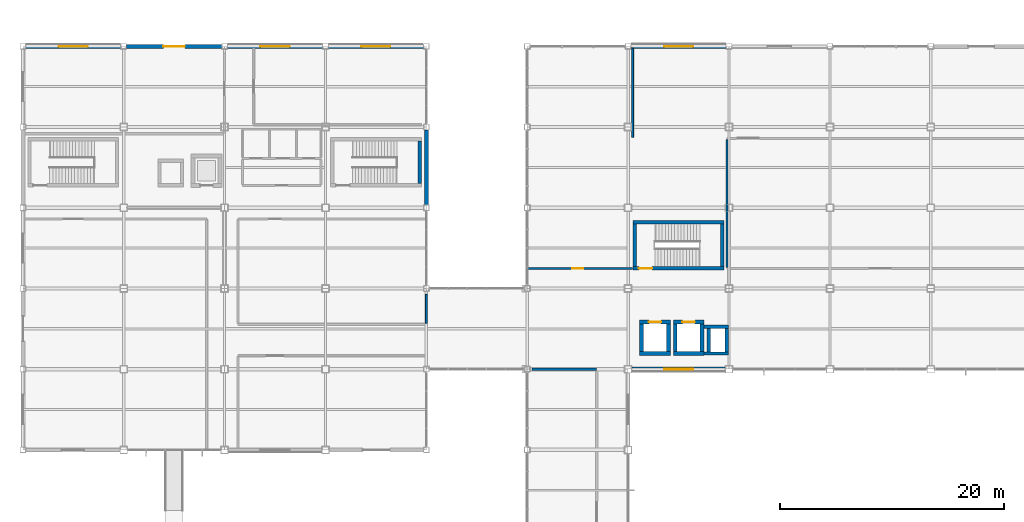
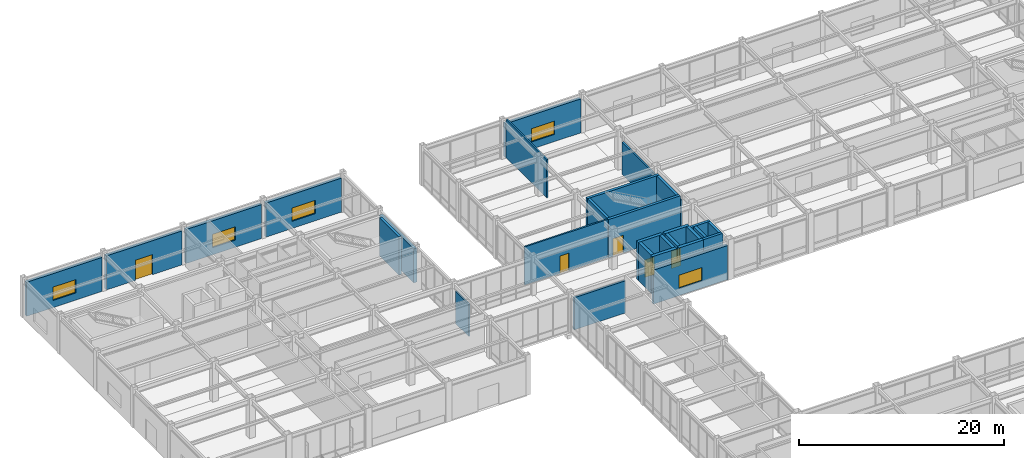
# One storey, part 91 of 112: 29 walls, 5 doors, 5 windows, 10 openings.
"""IFC4 building model written with IfcOpenShell, lengths in metres."""

from ifc_helpers import new_model, si_unit, direction, frame, frame_2d, origin, place, context, subcontext, project, spatial, rectangle, extrude, material, layer, layer_set, type_object, element, fill, save


model = new_model("IFC4")

# Units and contexts
model_context = context("Model", 3, precision=1e-05, world=origin(), true_north=direction((0.0, 1.0)))
body_context = subcontext(model_context, "Body", "Model", "MODEL_VIEW")
ifc_project = project(units=[si_unit("LENGTHUNIT", "METRE"), si_unit("AREAUNIT", "SQUARE_METRE"), si_unit("VOLUMEUNIT", "CUBIC_METRE"), si_unit("PLANEANGLEUNIT", "RADIAN"), si_unit("MASSUNIT", "GRAM", prefix="KILO")], contexts=[model_context])

# Site, building, storey
site_placement = place(None, origin())
site = spatial("IfcSite", under=ifc_project, at=site_placement, CompositionType="ELEMENT")
building_placement = place(site_placement, origin())
building = spatial("IfcBuilding", under=site, at=building_placement, Name="Kazanami Central Library", CompositionType="ELEMENT")
storey_placement = place(building_placement, origin())
storey = spatial("IfcBuildingStorey", under=building, at=storey_placement, Name="L01", CompositionType="ELEMENT", Elevation=0.0)

# Wall, opening, window
ifc_material_1 = material(Name="Concrete Fc36 (36 MPa)", Category="concrete")
ifc_layer_1 = layer(ifc_material_1, 0.27001953125, Name="Concrete Fc36 (36 MPa)")
ifc_material_2 = material(Name="Extruded Polystyrene XPS", Category="earth")
ifc_layer_2 = layer(ifc_material_2, 0.050048828125, Name="Extruded Polystyrene XPS")
ifc_material_3 = material(Name="Honed Inada Granite", Category="masonry")
ifc_layer_3 = layer(ifc_material_3, 0.030029296875, Name="Honed Inada Granite")
ifc_layer_set_1 = layer_set([ifc_layer_1, ifc_layer_2, ifc_layer_3], Name="Concrete Fc36 (36 MPa)")
wall_type_1 = type_object("IfcWallType", Name="WAL-EW-350", PredefinedType="STANDARD", material=ifc_layer_set_1)
wall_1_placement = place(storey_placement, frame((54.324951171875, 64.800048828125, 0.0), z_axis=(0.0, 0.0, 1.0), x_axis=(1.0, 0.0, 0.0)))
wall_1 = element("IfcWall", 1, at=wall_1_placement, inside=storey, type_object=wall_type_1, Name="Exterior Facade Wall EW-350 L01 S-K-06", PredefinedType="STANDARD", context=body_context, shape_type="SweptSolid", body=[
    extrude(rectangle(XDim=8.35009765625, YDim=0.35009765625, at=frame_2d((4.175048828125, 0.0))), origin(), (0.0, 0.0, 1.0), 4.054931640625),
])
opening_1_placement = place(wall_1_placement, frame((2.875, 0.0, 0.85009765625)))
opening_1 = element("IfcOpeningElement", 2, at=opening_1_placement, cuts=wall_1, Name="Opening WN-13", PredefinedType="OPENING", context=body_context, shape_type="SweptSolid", body=[
    extrude(rectangle(XDim=2.60009765625, YDim=1.60009765625, at=frame_2d((1.300048828125, 0.800048828125))), frame((0.0, 0.18701171875, 0.0), z_axis=(0.0, -1.0, 0.0), x_axis=(1.0, 0.0, 0.0)), (0.0, 0.0, 1.0), 0.3740234375),
])
ifc_material_4 = material(Name="Low-E Insulated Triple Glass", Category="glass")
window_type = type_object("IfcWindowType", Name="WIN-WN-13", PartitioningType="DOUBLE_PANEL_VERTICAL", PredefinedType="WINDOW", material=ifc_material_4)
window_1_placement = place(opening_1_placement, origin())
window_1 = element("IfcWindow", 3, at=window_1_placement, inside=storey, type_object=window_type, Name="Facade Window WN-13 L01 S-K-06", OverallHeight=1.60009765625, OverallWidth=2.60009765625, PartitioningType="DOUBLE_PANEL_VERTICAL", PredefinedType="WINDOW", context=body_context, shape_type="SweptSolid", body=[
    extrude(rectangle(XDim=2.60009765625, YDim=1.60009765625, at=frame_2d((1.300048828125, 0.800048828125))), frame((0.0, 0.030029296875, 0.0), z_axis=(0.0, -1.0, 0.0), x_axis=(1.0, 0.0, 0.0)), (0.0, 0.0, 1.0), 0.06005859375),
])
fill(opening_1, window_1)

wall_2_placement = place(storey_placement, frame((8.75, 93.60009765625, 0.0), z_axis=(0.0, 0.0, 1.0), x_axis=(-1.0, 0.0, 0.0)))
wall_2 = element("IfcWall", 4, at=wall_2_placement, inside=storey, type_object=wall_type_1, Name="Exterior Facade Wall EW-350 L01 N-O-00", PredefinedType="STANDARD", context=body_context, shape_type="SweptSolid", body=[
    extrude(rectangle(XDim=8.5, YDim=0.35009765625, at=frame_2d((4.25, 0.0))), origin(), (0.0, 0.0, 1.0), 4.054931640625),
])
opening_2_placement = place(wall_2_placement, frame((2.949951171875, 0.0, 0.85009765625)))
opening_2 = element("IfcOpeningElement", 5, at=opening_2_placement, cuts=wall_2, Name="Opening WN-13", PredefinedType="OPENING", context=body_context, shape_type="SweptSolid", body=[
    extrude(rectangle(XDim=2.60009765625, YDim=1.60009765625, at=frame_2d((1.300048828125, 0.800048828125))), frame((0.0, 0.18701171875, 0.0), z_axis=(0.0, -1.0, 0.0), x_axis=(1.0, 0.0, 0.0)), (0.0, 0.0, 1.0), 0.3740234375),
])
window_2_placement = place(opening_2_placement, origin())
window_2 = element("IfcWindow", 6, at=window_2_placement, inside=storey, type_object=window_type, Name="Facade Window WN-13 L01 N-O-00", OverallHeight=1.60009765625, OverallWidth=2.60009765625, PartitioningType="DOUBLE_PANEL_VERTICAL", PredefinedType="WINDOW", context=body_context, shape_type="SweptSolid", body=[
    extrude(rectangle(XDim=2.60009765625, YDim=1.60009765625, at=frame_2d((1.300048828125, 0.800048828125))), frame((0.0, 0.030029296875, 0.0), z_axis=(0.0, -1.0, 0.0), x_axis=(1.0, 0.0, 0.0)), (0.0, 0.0, 1.0), 0.06005859375),
])
fill(opening_2, window_2)

# Wall, opening, door
wall_3_placement = place(storey_placement, frame((17.75, 93.60009765625, 0.0), z_axis=(0.0, 0.0, 1.0), x_axis=(-1.0, 0.0, 0.0)))
wall_3 = element("IfcWall", 7, at=wall_3_placement, inside=storey, type_object=wall_type_1, Name="Exterior Facade Wall EW-350 L01 N-O-01", PredefinedType="STANDARD", context=body_context, shape_type="SweptSolid", body=[
    extrude(rectangle(XDim=8.5, YDim=0.35009765625, at=frame_2d((4.25, 0.0))), origin(), (0.0, 0.0, 1.0), 4.054931640625),
])
opening_3_placement = place(wall_3_placement, frame((3.300048828125, 0.0, 0.0)))
opening_3 = element("IfcOpeningElement", 8, at=opening_3_placement, cuts=wall_3, Name="Opening ED-04", PredefinedType="OPENING", context=body_context, shape_type="SweptSolid", body=[
    extrude(rectangle(XDim=1.89990234375, YDim=2.39990234375, at=frame_2d((0.949951171875, 1.199951171875))), frame((0.0, 0.18701171875, 0.0), z_axis=(0.0, -1.0, 0.0), x_axis=(1.0, 0.0, 0.0)), (0.0, 0.0, 1.0), 0.3740234375),
])
ifc_material_5 = material(Name="Anodised Aluminium A6063-T5", Category="aluminium")
door_type_1 = type_object("IfcDoorType", Name="DOR-ED-04", OperationType="DOUBLE_DOOR_SINGLE_SWING", PredefinedType="DOOR", material=ifc_material_5)
door_1_placement = place(opening_3_placement, frame((1.89990234375, 0.0, 0.0), z_axis=(0.0, 0.0, 1.0), x_axis=(-1.0, 0.0, 0.0)))
door_1 = element("IfcDoor", 9, at=door_1_placement, inside=storey, type_object=door_type_1, Name="Main Pedestrian Exit Door 12", OperationType="DOUBLE_DOOR_SINGLE_SWING", OverallHeight=2.39990234375, OverallWidth=1.89990234375, PredefinedType="DOOR", context=body_context, shape_type="SweptSolid", body=[
    extrude(rectangle(XDim=1.89990234375, YDim=2.39990234375, at=frame_2d((0.949951171875, 1.199951171875))), frame((0.0, 0.02490234375, 0.0), z_axis=(0.0, -1.0, 0.0), x_axis=(1.0, 0.0, 0.0)), (0.0, 0.0, 1.0), 0.050048828125),
])
fill(opening_3, door_1)

# Wall, opening, window
wall_4_placement = place(storey_placement, frame((26.75, 93.60009765625, 0.0), z_axis=(0.0, 0.0, 1.0), x_axis=(-1.0, 0.0, 0.0)))
wall_4 = element("IfcWall", 10, at=wall_4_placement, inside=storey, type_object=wall_type_1, Name="Exterior Facade Wall EW-350 L01 N-O-02", PredefinedType="STANDARD", context=body_context, shape_type="SweptSolid", body=[
    extrude(rectangle(XDim=8.5, YDim=0.35009765625, at=frame_2d((4.25, 0.0))), origin(), (0.0, 0.0, 1.0), 4.054931640625),
])
opening_4_placement = place(wall_4_placement, frame((2.949951171875, 0.0, 0.85009765625)))
opening_4 = element("IfcOpeningElement", 11, at=opening_4_placement, cuts=wall_4, Name="Opening WN-13", PredefinedType="OPENING", context=body_context, shape_type="SweptSolid", body=[
    extrude(rectangle(XDim=2.60009765625, YDim=1.60009765625, at=frame_2d((1.300048828125, 0.800048828125))), frame((0.0, 0.18701171875, 0.0), z_axis=(0.0, -1.0, 0.0), x_axis=(1.0, 0.0, 0.0)), (0.0, 0.0, 1.0), 0.3740234375),
])
window_3_placement = place(opening_4_placement, origin())
window_3 = element("IfcWindow", 12, at=window_3_placement, inside=storey, type_object=window_type, Name="Facade Window WN-13 L01 N-O-02", OverallHeight=1.60009765625, OverallWidth=2.60009765625, PartitioningType="DOUBLE_PANEL_VERTICAL", PredefinedType="WINDOW", context=body_context, shape_type="SweptSolid", body=[
    extrude(rectangle(XDim=2.60009765625, YDim=1.60009765625, at=frame_2d((1.300048828125, 0.800048828125))), frame((0.0, 0.030029296875, 0.0), z_axis=(0.0, -1.0, 0.0), x_axis=(1.0, 0.0, 0.0)), (0.0, 0.0, 1.0), 0.06005859375),
])
fill(opening_4, window_3)

wall_5_placement = place(storey_placement, frame((35.75, 93.60009765625, 0.0), z_axis=(0.0, 0.0, 1.0), x_axis=(-1.0, 0.0, 0.0)))
wall_5 = element("IfcWall", 13, at=wall_5_placement, inside=storey, type_object=wall_type_1, Name="Exterior Facade Wall EW-350 L01 N-O-03", PredefinedType="STANDARD", context=body_context, shape_type="SweptSolid", body=[
    extrude(rectangle(XDim=8.5, YDim=0.35009765625, at=frame_2d((4.25, 0.0))), origin(), (0.0, 0.0, 1.0), 4.054931640625),
])
opening_5_placement = place(wall_5_placement, frame((2.949951171875, 0.0, 0.85009765625)))
opening_5 = element("IfcOpeningElement", 14, at=opening_5_placement, cuts=wall_5, Name="Opening WN-13", PredefinedType="OPENING", context=body_context, shape_type="SweptSolid", body=[
    extrude(rectangle(XDim=2.60009765625, YDim=1.60009765625, at=frame_2d((1.300048828125, 0.800048828125))), frame((0.0, 0.18701171875, 0.0), z_axis=(0.0, -1.0, 0.0), x_axis=(1.0, 0.0, 0.0)), (0.0, 0.0, 1.0), 0.3740234375),
])
window_4_placement = place(opening_5_placement, origin())
window_4 = element("IfcWindow", 15, at=window_4_placement, inside=storey, type_object=window_type, Name="Facade Window WN-13 L01 N-O-03", OverallHeight=1.60009765625, OverallWidth=2.60009765625, PartitioningType="DOUBLE_PANEL_VERTICAL", PredefinedType="WINDOW", context=body_context, shape_type="SweptSolid", body=[
    extrude(rectangle(XDim=2.60009765625, YDim=1.60009765625, at=frame_2d((1.300048828125, 0.800048828125))), frame((0.0, 0.030029296875, 0.0), z_axis=(0.0, -1.0, 0.0), x_axis=(1.0, 0.0, 0.0)), (0.0, 0.0, 1.0), 0.06005859375),
])
fill(opening_5, window_4)

wall_6_placement = place(storey_placement, frame((62.75, 93.60009765625, 0.0), z_axis=(0.0, 0.0, 1.0), x_axis=(-1.0, 0.0, 0.0)))
wall_6 = element("IfcWall", 16, at=wall_6_placement, inside=storey, type_object=wall_type_1, Name="Exterior Facade Wall EW-350 L01 N-O-06", PredefinedType="STANDARD", context=body_context, shape_type="SweptSolid", body=[
    extrude(rectangle(XDim=8.5, YDim=0.35009765625, at=frame_2d((4.25, 0.0))), origin(), (0.0, 0.0, 1.0), 4.054931640625),
])
opening_6_placement = place(wall_6_placement, frame((2.949951171875, 0.0, 0.85009765625)))
opening_6 = element("IfcOpeningElement", 17, at=opening_6_placement, cuts=wall_6, Name="Opening WN-13", PredefinedType="OPENING", context=body_context, shape_type="SweptSolid", body=[
    extrude(rectangle(XDim=2.60009765625, YDim=1.60009765625, at=frame_2d((1.300048828125, 0.800048828125))), frame((0.0, 0.18701171875, 0.0), z_axis=(0.0, -1.0, 0.0), x_axis=(1.0, 0.0, 0.0)), (0.0, 0.0, 1.0), 0.3740234375),
])
window_5_placement = place(opening_6_placement, origin())
window_5 = element("IfcWindow", 18, at=window_5_placement, inside=storey, type_object=window_type, Name="Facade Window WN-13 L01 N-O-06", OverallHeight=1.60009765625, OverallWidth=2.60009765625, PartitioningType="DOUBLE_PANEL_VERTICAL", PredefinedType="WINDOW", context=body_context, shape_type="SweptSolid", body=[
    extrude(rectangle(XDim=2.60009765625, YDim=1.60009765625, at=frame_2d((1.300048828125, 0.800048828125))), frame((0.0, 0.030029296875, 0.0), z_axis=(0.0, -1.0, 0.0), x_axis=(1.0, 0.0, 0.0)), (0.0, 0.0, 1.0), 0.06005859375),
])
fill(opening_6, window_5)

# Walls
wall_7_placement = place(storey_placement, frame((36.0, 86.14990234375, 0.0), z_axis=(0.0, 0.0, 1.0), x_axis=(0.0, -1.0, 0.0)))
element("IfcWall", 19, at=wall_7_placement, inside=storey, type_object=wall_type_1, Name="Exterior Facade Wall EW-350 L01 E-5-11", PredefinedType="STANDARD", context=body_context, shape_type="SweptSolid", body=[
    extrude(rectangle(XDim=6.699951171875, YDim=0.35009765625, at=frame_2d((3.35009765625, 0.0))), origin(), (0.0, 0.0, 1.0), 4.054931640625),
])
ifc_material_6 = material(Name="Fire-Resistant Gypsum Board GB-F", Category="gypsum")
ifc_layer_4 = layer(ifc_material_6, 0.1650390625, Name="Fire-Resistant Gypsum Board GB-F")
ifc_layer_set_2 = layer_set([ifc_layer_4], Name="Fire-Resistant Gypsum Board GB-F")
wall_type_2 = type_object("IfcWallType", Name="WAL-FW-165", PredefinedType="PARTITIONING", material=ifc_layer_set_2)
wall_8_placement = place(storey_placement, frame((36.0, 68.889892578125, 0.0), z_axis=(0.0, 0.0, 1.0), x_axis=(0.0, 1.0, 0.0)))
element("IfcWall", 20, at=wall_8_placement, inside=storey, type_object=wall_type_2, Name="Interior Partition FW-165 L01 RM-19 (East)", PredefinedType="PARTITIONING", context=body_context, shape_type="SweptSolid", body=[
    extrude(rectangle(XDim=2.590087890625, YDim=0.1650390625, at=frame_2d((1.294921875, 0.0))), origin(), (0.0, 0.0, 1.0), 3.8349609375),
])
wall_9_placement = place(storey_placement, frame((54.39990234375, 85.489990234375, 0.0), z_axis=(0.0, 0.0, 1.0), x_axis=(0.0, 1.0, 0.0)))
element("IfcWall", 21, at=wall_9_placement, inside=storey, type_object=wall_type_2, Name="Interior Partition FW-165 L01 RM-34 (West)", PredefinedType="PARTITIONING", context=body_context, shape_type="SweptSolid", body=[
    extrude(rectangle(XDim=7.929931640625, YDim=0.1650390625, at=frame_2d((3.96484375, 0.0))), origin(), (0.0, 0.0, 1.0), 4.554931640625),
])
ifc_layer_5 = layer(ifc_material_6, 0.179931640625, Name="Fire-Resistant Gypsum Board GB-F")
ifc_layer_set_3 = layer_set([ifc_layer_5], Name="Fire-Resistant Gypsum Board GB-F")
wall_type_3 = type_object("IfcWallType", Name="WAL-FW-180", PredefinedType="PARTITIONING", material=ifc_layer_set_3)
wall_10_placement = place(storey_placement, frame((62.800048828125, 73.889892578125, 0.0), z_axis=(0.0, 0.0, 1.0), x_axis=(0.0, 1.0, 0.0)))
element("IfcWall", 22, at=wall_10_placement, inside=storey, type_object=wall_type_3, Name="Interior Partition FW-180 L01 RM-31 (West)", PredefinedType="PARTITIONING", context=body_context, shape_type="SweptSolid", body=[
    extrude(rectangle(XDim=11.420166015625, YDim=0.179931640625, at=frame_2d((5.7099609375, 0.0))), origin(), (0.0, 0.0, 1.0), 3.8349609375),
])

# Wall, opening, door
wall_11_placement = place(storey_placement, frame((45.034912109375, 73.800048828125, 0.0), z_axis=(0.0, 0.0, 1.0), x_axis=(1.0, 0.0, 0.0)))
wall_11 = element("IfcWall", 23, at=wall_11_placement, inside=storey, type_object=wall_type_3, Name="Interior Partition FW-180 L01 RM-32 (South)", PredefinedType="PARTITIONING", context=body_context, shape_type="SweptSolid", body=[
    extrude(rectangle(XDim=9.364990234375, YDim=0.179931640625, at=frame_2d((4.6826171875, 0.0))), origin(), (0.0, 0.0, 1.0), 4.554931640625),
])
opening_7_placement = place(wall_11_placement, frame((3.965087890625, 0.0, 0.0)))
opening_7 = element("IfcOpeningElement", 24, at=opening_7_placement, cuts=wall_11, Name="Opening FD30-2", PredefinedType="OPENING", context=body_context, shape_type="SweptSolid", body=[
    extrude(rectangle(XDim=1.0, YDim=2.080078125, at=frame_2d((0.5, 1.0400390625))), frame((0.0, 0.10205078125, 0.0), z_axis=(0.0, -1.0, 0.0), x_axis=(1.0, 0.0, 0.0)), (0.0, 0.0, 1.0), 0.203857421875),
])
ifc_material_7 = material(Name="Cold-Rolled Steel SPCC", Category="steel")
door_type_2 = type_object("IfcDoorType", Name="DOR-FD30-2", OperationType="NOTDEFINED", PredefinedType="DOOR", material=ifc_material_7)
door_2_placement = place(opening_7_placement, origin())
door_2 = element("IfcDoor", 25, at=door_2_placement, inside=storey, type_object=door_type_2, Name="Interior Door FD30-2 L01 RM-32", OperationType="SINGLE_SWING_LEFT", OverallHeight=2.080078125, OverallWidth=1.0, PredefinedType="DOOR", context=body_context, shape_type="SweptSolid", body=[
    extrude(rectangle(XDim=1.0, YDim=2.080078125, at=frame_2d((0.5, 1.0400390625))), frame((0.0, 0.02490234375, 0.0), z_axis=(0.0, -1.0, 0.0), x_axis=(1.0, 0.0, 0.0)), (0.0, 0.0, 1.0), 0.050048828125),
])
fill(opening_7, door_2)

# Wall
ifc_layer_6 = layer(ifc_material_6, 0.219970703125, Name="Fire-Resistant Gypsum Board GB-F")
ifc_layer_set_4 = layer_set([ifc_layer_6], Name="Fire-Resistant Gypsum Board GB-F")
wall_type_4 = type_object("IfcWallType", Name="WAL-FW-220", PredefinedType="PARTITIONING", material=ifc_layer_set_4)
wall_12_placement = place(storey_placement, frame((45.419921875, 64.800048828125, 0.0), z_axis=(0.0, 0.0, 1.0), x_axis=(1.0, 0.0, 0.0)))
element("IfcWall", 26, at=wall_12_placement, inside=storey, type_object=wall_type_4, Name="Interior Partition FW-220 L01 RM-29 (North)", PredefinedType="PARTITIONING", context=body_context, shape_type="SweptSolid", body=[
    extrude(rectangle(XDim=5.780029296875, YDim=0.219970703125, at=frame_2d((2.89013671875, 0.0))), origin(), (0.0, 0.0, 1.0), 3.8349609375),
])

# Wall, opening, door
ifc_layer_7 = layer(ifc_material_1, 0.300048828125, Name="Concrete Fc36 (36 MPa)")
ifc_layer_set_5 = layer_set([ifc_layer_7], Name="Concrete Fc36 (36 MPa)")
wall_type_5 = type_object("IfcWallType", Name="WAL-SW-300", PredefinedType="SHEAR", material=ifc_layer_set_5)
wall_13_placement = place(storey_placement, frame((54.449951171875, 73.800048828125, 0.0), z_axis=(0.0, 0.0, 1.0), x_axis=(1.0, 0.0, 0.0)))
wall_13 = element("IfcWall", 27, at=wall_13_placement, inside=storey, type_object=wall_type_5, Name="Stair Core Wall ST-03 South L01", PredefinedType="SHEAR", context=body_context, shape_type="SweptSolid", body=[
    extrude(rectangle(XDim=8.10009765625, YDim=0.300048828125, at=frame_2d((4.050048828125, 0.0))), origin(), (0.0, 0.0, 1.0), 4.554931640625),
])
opening_8_placement = place(wall_13_placement, frame((0.5, 0.0, 0.0)))
opening_8 = element("IfcOpeningElement", 28, at=opening_8_placement, cuts=wall_13, Name="Opening FD60-1", PredefinedType="OPENING", context=body_context, shape_type="SweptSolid", body=[
    extrude(rectangle(XDim=1.199951171875, YDim=2.10009765625, at=frame_2d((0.60009765625, 1.050048828125))), frame((0.0, 0.162109375, 0.0), z_axis=(0.0, -1.0, 0.0), x_axis=(1.0, 0.0, 0.0)), (0.0, 0.0, 1.0), 0.323974609375),
])
door_type_3 = type_object("IfcDoorType", Name="DOR-FD60-1", OperationType="NOTDEFINED", PredefinedType="DOOR", material=ifc_material_7)
door_3_placement = place(opening_8_placement, frame((1.199951171875, 0.0, 0.0), z_axis=(0.0, 0.0, 1.0), x_axis=(-1.0, 0.0, 0.0)))
door_3 = element("IfcDoor", 29, at=door_3_placement, inside=storey, type_object=door_type_3, Name="Escape Stair ST-03 Fire Door L01", OperationType="SINGLE_SWING_RIGHT", OverallHeight=2.10009765625, OverallWidth=1.199951171875, PredefinedType="DOOR", context=body_context, shape_type="SweptSolid", body=[
    extrude(rectangle(XDim=1.199951171875, YDim=2.10009765625, at=frame_2d((0.60009765625, 1.050048828125))), frame((0.0, 0.02490234375, 0.0), z_axis=(0.0, -1.0, 0.0), x_axis=(1.0, 0.0, 0.0)), (0.0, 0.0, 1.0), 0.050048828125),
])
fill(opening_8, door_3)

# Walls
wall_14_placement = place(storey_placement, frame((54.449951171875, 77.89990234375, 0.0), z_axis=(0.0, 0.0, 1.0), x_axis=(1.0, 0.0, 0.0)))
element("IfcWall", 30, at=wall_14_placement, inside=storey, type_object=wall_type_5, Name="Stair Core Wall ST-03 North L01", PredefinedType="SHEAR", context=body_context, shape_type="SweptSolid", body=[
    extrude(rectangle(XDim=8.10009765625, YDim=0.300048828125, at=frame_2d((4.050048828125, 0.0))), origin(), (0.0, 0.0, 1.0), 4.554931640625),
])
for number, where, z_axis, x_axis, name in (
    (31, (54.60009765625, 73.949951171875, 0.0), (0.0, 0.0, 1.0), (0.0, 1.0, 0.0), "Stair Core Wall ST-03 West L01"),
    (32, (62.39990234375, 73.949951171875, 0.0), (0.0, 0.0, 1.0), (0.0, 1.0, 0.0), "Stair Core Wall ST-03 East L01"),
):
    element("IfcWall", number, at=place(storey_placement, frame(where, z_axis=z_axis, x_axis=x_axis)), inside=storey, type_object=wall_type_5, Name=name, PredefinedType="SHEAR", context=body_context, shape_type="SweptSolid", body=[
        extrude(rectangle(XDim=3.800048828125, YDim=0.300048828125, at=frame_2d((1.89990234375, 0.0))), origin(), (0.0, 0.0, 1.0), 4.554931640625),
    ])
wall_15_placement = place(storey_placement, frame((35.39990234375, 81.35009765625, 0.0), z_axis=(0.0, 0.0, 1.0), x_axis=(0.0, 1.0, 0.0)))
element("IfcWall", 33, at=wall_15_placement, inside=storey, type_object=wall_type_5, Name="Stair Core Wall ST-06 East L01", PredefinedType="SHEAR", context=body_context, shape_type="SweptSolid", body=[
    extrude(rectangle(XDim=3.7998046875, YDim=0.300048828125, at=frame_2d((1.89990234375, 0.0))), origin(), (0.0, 0.0, 1.0), 4.554931640625),
])
for number, where, z_axis, x_axis, name in (
    (34, (60.77490234375, 66.199951171875, 0.0), (0.0, 0.0, 1.0), (1.0, 0.0, 0.0), "Service Riser Wall RSR-V1-A S L01"),
    (35, (60.77490234375, 68.60009765625, 0.0), (0.0, 0.0, 1.0), (1.0, 0.0, 0.0), "Service Riser Wall RSR-V1-A N L01"),
):
    element("IfcWall", number, at=place(storey_placement, frame(where, z_axis=z_axis, x_axis=x_axis)), inside=storey, type_object=wall_type_5, Name=name, PredefinedType="SHEAR", context=body_context, shape_type="SweptSolid", body=[
        extrude(rectangle(XDim=2.175048828125, YDim=0.300048828125, at=frame_2d((1.08740234375, 0.0))), origin(), (0.0, 0.0, 1.0), 4.554931640625),
    ])
for number, where, z_axis, x_axis, name in (
    (36, (61.199951171875, 66.35009765625, 0.0), (0.0, 0.0, 1.0), (0.0, 1.0, 0.0), "Service Riser Wall RSR-V1-A W L01"),
    (37, (62.800048828125, 66.35009765625, 0.0), (0.0, 0.0, 1.0), (0.0, 1.0, 0.0), "Service Riser Wall RSR-V1-A E L01"),
):
    element("IfcWall", number, at=place(storey_placement, frame(where, z_axis=z_axis, x_axis=x_axis)), inside=storey, type_object=wall_type_5, Name=name, PredefinedType="SHEAR", context=body_context, shape_type="SweptSolid", body=[
        extrude(rectangle(XDim=2.099853515625, YDim=0.300048828125, at=frame_2d((1.0498046875, 0.0))), origin(), (0.0, 0.0, 1.0), 4.554931640625),
    ])
ifc_layer_8 = layer(ifc_material_1, 0.35009765625, Name="Concrete Fc36 (36 MPa)")
ifc_layer_set_6 = layer_set([ifc_layer_8], Name="Concrete Fc36 (36 MPa)")
wall_type_6 = type_object("IfcWallType", Name="WAL-SW-350", PredefinedType="SHEAR", material=ifc_layer_set_6)
wall_16_placement = place(storey_placement, frame((55.02490234375, 66.199951171875, 0.0), z_axis=(0.0, 0.0, 1.0), x_axis=(1.0, 0.0, 0.0)))
element("IfcWall", 38, at=wall_16_placement, inside=storey, type_object=wall_type_6, Name="Lift Shaft Wall EL-P2 South L01", PredefinedType="SHEAR", context=body_context, shape_type="SweptSolid", body=[
    extrude(rectangle(XDim=2.75, YDim=0.35009765625, at=frame_2d((1.375, 0.0))), origin(), (0.0, 0.0, 1.0), 4.554931640625),
])

# Wall, opening, door
wall_17_placement = place(storey_placement, frame((55.02490234375, 69.0, 0.0), z_axis=(0.0, 0.0, 1.0), x_axis=(1.0, 0.0, 0.0)))
wall_17 = element("IfcWall", 39, at=wall_17_placement, inside=storey, type_object=wall_type_6, Name="Lift Shaft Wall EL-P2 North L01", PredefinedType="SHEAR", context=body_context, shape_type="SweptSolid", body=[
    extrude(rectangle(XDim=2.75, YDim=0.35009765625, at=frame_2d((1.375, 0.0))), origin(), (0.0, 0.0, 1.0), 4.554931640625),
])
opening_9_placement = place(wall_17_placement, frame((0.824951171875, 0.0, 0.0)))
opening_9 = element("IfcOpeningElement", 40, at=opening_9_placement, cuts=wall_17, Name="Opening LD-01", PredefinedType="OPENING", context=body_context, shape_type="SweptSolid", body=[
    extrude(rectangle(XDim=1.10009765625, YDim=2.10009765625, at=frame_2d((0.550048828125, 1.050048828125))), frame((0.0, 0.18701171875, 0.0), z_axis=(0.0, -1.0, 0.0), x_axis=(1.0, 0.0, 0.0)), (0.0, 0.0, 1.0), 0.3740234375),
])
ifc_material_8 = material(Name="Stainless Steel SUS304", Category="steel")
door_type_4 = type_object("IfcDoorType", Name="DOR-LD-01", OperationType="SLIDING_TO_LEFT", PredefinedType="DOOR", material=ifc_material_8)
door_4_placement = place(opening_9_placement, origin())
door_4 = element("IfcDoor", 41, at=door_4_placement, inside=storey, type_object=door_type_4, Name="Lift Landing Sliding Door EL-P2 (L01)", OperationType="SLIDING_TO_RIGHT", OverallHeight=2.10009765625, OverallWidth=1.10009765625, PredefinedType="DOOR", context=body_context, shape_type="SweptSolid", body=[
    extrude(rectangle(XDim=1.10009765625, YDim=2.10009765625, at=frame_2d((0.550048828125, 1.050048828125))), frame((0.0, 0.02490234375, 0.0), z_axis=(0.0, -1.0, 0.0), x_axis=(1.0, 0.0, 0.0)), (0.0, 0.0, 1.0), 0.050048828125),
])
fill(opening_9, door_4)

# Walls
for number, where, z_axis, x_axis, name in (
    (42, (55.199951171875, 66.375, 0.0), (0.0, 0.0, 1.0), (0.0, 1.0, 0.0), "Lift Shaft Wall EL-P2 West L01"),
    (43, (57.60009765625, 66.375, 0.0), (0.0, 0.0, 1.0), (0.0, 1.0, 0.0), "Lift Shaft Wall EL-P2 East L01"),
):
    element("IfcWall", number, at=place(storey_placement, frame(where, z_axis=z_axis, x_axis=x_axis)), inside=storey, type_object=wall_type_6, Name=name, PredefinedType="SHEAR", context=body_context, shape_type="SweptSolid", body=[
        extrude(rectangle(XDim=2.449951171875, YDim=0.35009765625, at=frame_2d((1.22509765625, 0.0))), origin(), (0.0, 0.0, 1.0), 4.554931640625),
    ])
wall_18_placement = place(storey_placement, frame((58.02490234375, 66.199951171875, 0.0), z_axis=(0.0, 0.0, 1.0), x_axis=(1.0, 0.0, 0.0)))
element("IfcWall", 44, at=wall_18_placement, inside=storey, type_object=wall_type_6, Name="Lift Shaft Wall EL-P3 South L01", PredefinedType="SHEAR", context=body_context, shape_type="SweptSolid", body=[
    extrude(rectangle(XDim=2.75, YDim=0.35009765625, at=frame_2d((1.375, 0.0))), origin(), (0.0, 0.0, 1.0), 4.554931640625),
])

# Wall, opening, door
wall_19_placement = place(storey_placement, frame((58.02490234375, 69.0, 0.0), z_axis=(0.0, 0.0, 1.0), x_axis=(1.0, 0.0, 0.0)))
wall_19 = element("IfcWall", 45, at=wall_19_placement, inside=storey, type_object=wall_type_6, Name="Lift Shaft Wall EL-P3 North L01", PredefinedType="SHEAR", context=body_context, shape_type="SweptSolid", body=[
    extrude(rectangle(XDim=2.75, YDim=0.35009765625, at=frame_2d((1.375, 0.0))), origin(), (0.0, 0.0, 1.0), 4.554931640625),
])
opening_10_placement = place(wall_19_placement, frame((0.824951171875, 0.0, 0.0)))
opening_10 = element("IfcOpeningElement", 46, at=opening_10_placement, cuts=wall_19, Name="Opening LD-01", PredefinedType="OPENING", context=body_context, shape_type="SweptSolid", body=[
    extrude(rectangle(XDim=1.10009765625, YDim=2.10009765625, at=frame_2d((0.550048828125, 1.050048828125))), frame((0.0, 0.18701171875, 0.0), z_axis=(0.0, -1.0, 0.0), x_axis=(1.0, 0.0, 0.0)), (0.0, 0.0, 1.0), 0.3740234375),
])
door_5_placement = place(opening_10_placement, origin())
door_5 = element("IfcDoor", 47, at=door_5_placement, inside=storey, type_object=door_type_4, Name="Lift Landing Sliding Door EL-P3 (L01)", OperationType="SLIDING_TO_RIGHT", OverallHeight=2.10009765625, OverallWidth=1.10009765625, PredefinedType="DOOR", context=body_context, shape_type="SweptSolid", body=[
    extrude(rectangle(XDim=1.10009765625, YDim=2.10009765625, at=frame_2d((0.550048828125, 1.050048828125))), frame((0.0, 0.02490234375, 0.0), z_axis=(0.0, -1.0, 0.0), x_axis=(1.0, 0.0, 0.0)), (0.0, 0.0, 1.0), 0.050048828125),
])
fill(opening_10, door_5)

# Walls
for number, where, z_axis, x_axis, name in (
    (48, (58.199951171875, 66.375, 0.0), (0.0, 0.0, 1.0), (0.0, 1.0, 0.0), "Lift Shaft Wall EL-P3 West L01"),
    (49, (60.60009765625, 66.375, 0.0), (0.0, 0.0, 1.0), (0.0, 1.0, 0.0), "Lift Shaft Wall EL-P3 East L01"),
):
    element("IfcWall", number, at=place(storey_placement, frame(where, z_axis=z_axis, x_axis=x_axis)), inside=storey, type_object=wall_type_6, Name=name, PredefinedType="SHEAR", context=body_context, shape_type="SweptSolid", body=[
        extrude(rectangle(XDim=2.449951171875, YDim=0.35009765625, at=frame_2d((1.22509765625, 0.0))), origin(), (0.0, 0.0, 1.0), 4.554931640625),
    ])

save(model, "model.ifc")
